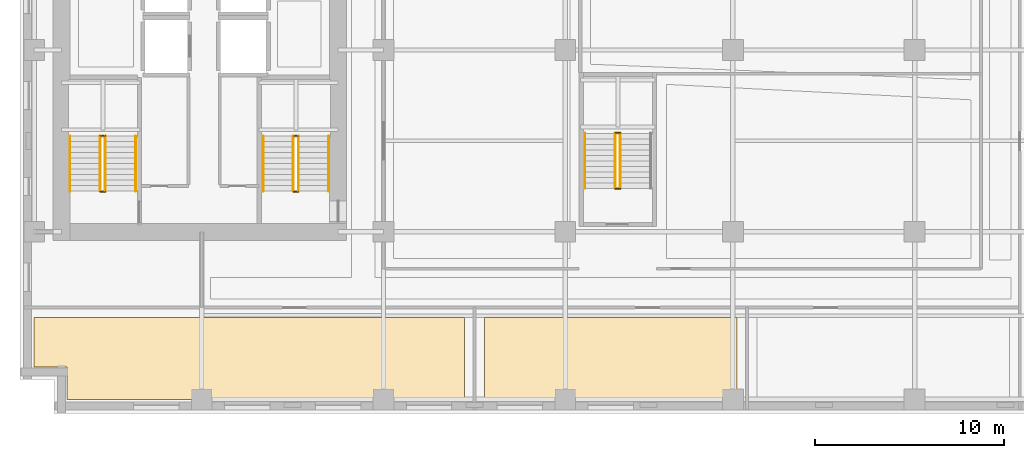
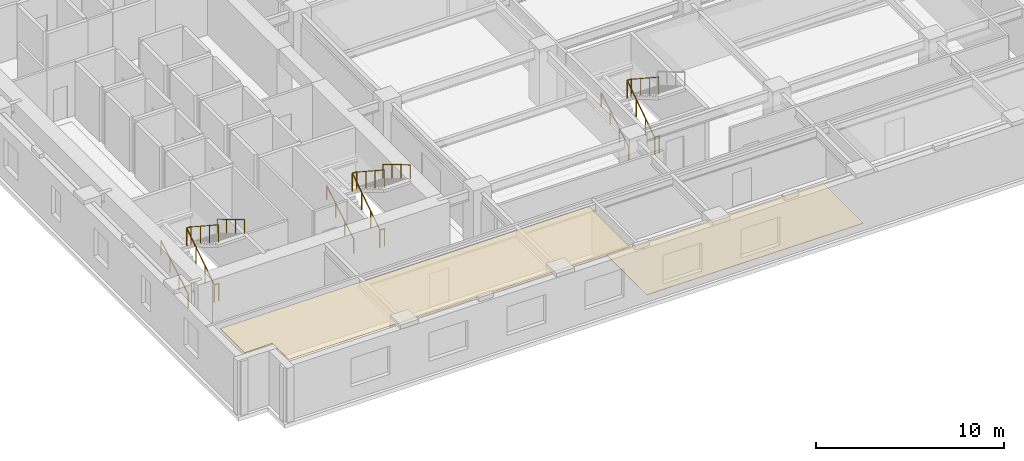
# One storey, part 9 of 13: 17 railings, 2 coverings.
"""IFC4 building model written with IfcOpenShell, lengths in metres."""

from ifc_helpers import new_model, si_unit, direction, frame, origin, origin_2d, place, context, subcontext, project, spatial, polyline, circle, outline, extrude, material, layer, layer_set, type_object, element, save


model = new_model("IFC4")

# Units and contexts
model_context = context("Model", 3, precision=1e-05, world=origin(), true_north=direction((0.0, 1.0)))
body_context = subcontext(model_context, "Body", "Model", "MODEL_VIEW")
ifc_project = project(units=[si_unit("LENGTHUNIT", "METRE"), si_unit("AREAUNIT", "SQUARE_METRE"), si_unit("VOLUMEUNIT", "CUBIC_METRE"), si_unit("PLANEANGLEUNIT", "RADIAN"), si_unit("MASSUNIT", "GRAM", prefix="KILO")], contexts=[model_context])

# Site, building, storey
site_placement = place(None, origin())
site = spatial("IfcSite", under=ifc_project, at=site_placement, CompositionType="ELEMENT")
building_placement = place(site_placement, origin())
building = spatial("IfcBuilding", under=site, at=building_placement, Name="Norrvale University Quadrangle", CompositionType="ELEMENT")
storey_placement = place(building_placement, frame((0.0, 0.0, 69.800048828125)))
storey = spatial("IfcBuildingStorey", under=building, at=storey_placement, Name="L17", CompositionType="ELEMENT", Elevation=69.800048828125)

# Coverings
ifc_material_1 = material(Name="Perforated Acoustic Mineral Ceiling")
ifc_layer_1 = layer(ifc_material_1, 0.02490234375, Name="Perforated Acoustic Mineral Ceiling")
ifc_layer_set_1 = layer_set([ifc_layer_1], Name="Perforated Acoustic Mineral Ceiling")
covering_type_1 = type_object("IfcCoveringType", Name="Covering Acoustic Ceiling 25", PredefinedType="CEILING", material=ifc_layer_set_1)
covering_1_placement = place(storey_placement, frame((0.0, 0.0, 3.514892578125)))
element("IfcCovering", 1, at=covering_1_placement, inside=storey, type_object=covering_type_1, Name="Acoustic Ceiling RM-L17-S01", PredefinedType="CEILING", context=body_context, shape_type="SweptSolid", body=[
    extrude(outline(polyline([(0.75, 5.070068359375), (23.469970703125, 5.070068359375), (23.469970703125, 0.75), (2.469970703125, 0.75), (2.469970703125, 2.469970703125), (0.75, 2.469970703125), (0.75, 5.070068359375)])), origin(), (0.0, 0.0, 1.0), 0.025146484375),
])
ifc_material_2 = material(Name="Polished Terrazzo Flooring")
ifc_layer_2 = layer(ifc_material_2, 0.02490234375, Name="Polished Terrazzo Flooring")
ifc_layer_set_2 = layer_set([ifc_layer_2], Name="Polished Terrazzo Flooring")
covering_type_2 = type_object("IfcCoveringType", Name="Covering Terrazzo Floor 30", PredefinedType="FLOORING", material=ifc_layer_set_2)
covering_2_placement = place(storey_placement, origin())
element("IfcCovering", 2, at=covering_2_placement, inside=storey, type_object=covering_type_2, Name="Terrazzo Flooring RM-L17-S02", PredefinedType="FLOORING", context=body_context, shape_type="SweptSolid", body=[
    extrude(outline(polyline([(24.530029296875, 5.070068359375), (37.8701171875, 5.070068359375), (37.8701171875, 0.75), (24.530029296875, 0.75), (24.530029296875, 5.070068359375)])), origin(), (0.0, 0.0, 1.0), 0.02490234375),
])

# Railings
ifc_material_3 = material(Name="Steel 350W Painted Balustrade", Category="steel")
railing_type_1 = type_object("IfcRailingType", Name="Railing Stair Guard 1100", PredefinedType="GUARDRAIL", material=ifc_material_3)
for number, where, name in (
    (3, (4.239990234375, 11.719970703125, 0.0), "Stair Floor Well Guard ST-01 L17"),
    (4, (4.239990234375, 14.679931640625, 1.89990234375), "Stair Mid-Landing Slot Guard ST-01 L17"),
):
    element("IfcRailing", number, at=place(storey_placement, frame(where)), inside=storey, type_object=railing_type_1, Name=name, PredefinedType="GUARDRAIL", context=body_context, shape_type="SweptSolid", body=[
        extrude(circle(Radius=0.02392578125, at=origin_2d()), frame((0.0, 0.0, 1.1259765625), z_axis=(1.0, 0.0, 0.0), x_axis=(0.0, 1.0, 0.0)), (0.0, 0.0, 1.0), 0.27001953125),
        extrude(circle(Radius=0.02099609375, at=origin_2d()), origin(), (0.0, 0.0, 1.0), 1.101806640625),
        extrude(circle(Radius=0.02099609375, at=origin_2d()), frame((0.27001953125, 0.0, 0.0)), (0.0, 0.0, 1.0), 1.101806640625),
    ])
railing_1_placement = place(storey_placement, frame((4.239990234375, 11.75, 0.0)))
element("IfcRailing", 5, at=railing_1_placement, inside=storey, type_object=railing_type_1, Name="Stair Lower Flight Inner Guard ST-01 L17", PredefinedType="GUARDRAIL", context=body_context, shape_type="SweptSolid", body=[
    extrude(circle(Radius=0.02392578125, at=origin_2d()), frame((0.0, 0.0, 1.1259765625), z_axis=(0.0, 0.836465582154, 0.548019461216), x_axis=(-1.0, 0.0, 0.0)), (0.0, 0.0, 1.0), 3.466796875),
    extrude(circle(Radius=0.02099609375, at=origin_2d()), origin(), (0.0, 0.0, 1.0), 1.101806640625),
    extrude(circle(Radius=0.02099609375, at=origin_2d()), frame((0.0, 0.966552734375, 0.63330078125)), (0.0, 0.0, 1.0), 1.101806640625),
    extrude(circle(Radius=0.02099609375, at=origin_2d()), frame((0.0, 1.933349609375, 1.2666015625)), (0.0, 0.0, 1.0), 1.101806640625),
    extrude(circle(Radius=0.02099609375, at=origin_2d()), frame((0.0, 2.89990234375, 1.89990234375)), (0.0, 0.0, 1.0), 1.101806640625),
])
railing_2_placement = place(storey_placement, frame((4.510009765625, 14.64990234375, 1.89990234375)))
element("IfcRailing", 6, at=railing_2_placement, inside=storey, type_object=railing_type_1, Name="Stair Upper Flight Inner Guard ST-01 L17", PredefinedType="GUARDRAIL", context=body_context, shape_type="SweptSolid", body=[
    extrude(circle(Radius=0.02392578125, at=origin_2d()), frame((0.0, 0.0, 1.1259765625), z_axis=(0.0, -0.836433300813, 0.548068730445), x_axis=(1.0, 0.0, 0.0)), (0.0, 0.0, 1.0), 3.467041015625),
    extrude(circle(Radius=0.02099609375, at=origin_2d()), origin(), (0.0, 0.0, 1.0), 1.101806640625),
    extrude(circle(Radius=0.02099609375, at=origin_2d()), frame((0.0, -0.966552734375, 0.63330078125)), (0.0, 0.0, 1.0), 1.101806640625),
    extrude(circle(Radius=0.02099609375, at=origin_2d()), frame((0.0, -1.933349609375, 1.266845703125)), (0.0, 0.0, 1.0), 1.101806640625),
    extrude(circle(Radius=0.02099609375, at=origin_2d()), frame((0.0, -2.89990234375, 1.900146484375)), (0.0, 0.0, 1.0), 1.101806640625),
])
for number, where, name in (
    (7, (14.43994140625, 11.719970703125, 0.0), "Stair Floor Well Guard ST-03 L17"),
    (8, (14.43994140625, 14.679931640625, 1.89990234375), "Stair Mid-Landing Slot Guard ST-03 L17"),
):
    element("IfcRailing", number, at=place(storey_placement, frame(where)), inside=storey, type_object=railing_type_1, Name=name, PredefinedType="GUARDRAIL", context=body_context, shape_type="SweptSolid", body=[
        extrude(circle(Radius=0.02392578125, at=origin_2d()), frame((0.0, 0.0, 1.1259765625), z_axis=(1.0, 0.0, 0.0), x_axis=(0.0, 1.0, 0.0)), (0.0, 0.0, 1.0), 0.27001953125),
        extrude(circle(Radius=0.02099609375, at=origin_2d()), origin(), (0.0, 0.0, 1.0), 1.101806640625),
        extrude(circle(Radius=0.02099609375, at=origin_2d()), frame((0.27001953125, 0.0, 0.0)), (0.0, 0.0, 1.0), 1.101806640625),
    ])
railing_3_placement = place(storey_placement, frame((14.43994140625, 11.75, 0.0)))
element("IfcRailing", 9, at=railing_3_placement, inside=storey, type_object=railing_type_1, Name="Stair Lower Flight Inner Guard ST-03 L17", PredefinedType="GUARDRAIL", context=body_context, shape_type="SweptSolid", body=[
    extrude(circle(Radius=0.02392578125, at=origin_2d()), frame((0.0, 0.0, 1.1259765625), z_axis=(0.0, 0.836465582154, 0.548019461216), x_axis=(-1.0, 0.0, 0.0)), (0.0, 0.0, 1.0), 3.466796875),
    extrude(circle(Radius=0.02099609375, at=origin_2d()), origin(), (0.0, 0.0, 1.0), 1.101806640625),
    extrude(circle(Radius=0.02099609375, at=origin_2d()), frame((0.0, 0.966552734375, 0.63330078125)), (0.0, 0.0, 1.0), 1.101806640625),
    extrude(circle(Radius=0.02099609375, at=origin_2d()), frame((0.0, 1.933349609375, 1.2666015625)), (0.0, 0.0, 1.0), 1.101806640625),
    extrude(circle(Radius=0.02099609375, at=origin_2d()), frame((0.0, 2.89990234375, 1.89990234375)), (0.0, 0.0, 1.0), 1.101806640625),
])
railing_4_placement = place(storey_placement, frame((14.7099609375, 14.64990234375, 1.89990234375)))
element("IfcRailing", 10, at=railing_4_placement, inside=storey, type_object=railing_type_1, Name="Stair Upper Flight Inner Guard ST-03 L17", PredefinedType="GUARDRAIL", context=body_context, shape_type="SweptSolid", body=[
    extrude(circle(Radius=0.02392578125, at=origin_2d()), frame((0.0, 0.0, 1.1259765625), z_axis=(0.0, -0.836433300813, 0.548068730445), x_axis=(1.0, 0.0, 0.0)), (0.0, 0.0, 1.0), 3.467041015625),
    extrude(circle(Radius=0.02099609375, at=origin_2d()), origin(), (0.0, 0.0, 1.0), 1.101806640625),
    extrude(circle(Radius=0.02099609375, at=origin_2d()), frame((0.0, -0.966552734375, 0.63330078125)), (0.0, 0.0, 1.0), 1.101806640625),
    extrude(circle(Radius=0.02099609375, at=origin_2d()), frame((0.0, -1.933349609375, 1.266845703125)), (0.0, 0.0, 1.0), 1.101806640625),
    extrude(circle(Radius=0.02099609375, at=origin_2d()), frame((0.0, -2.89990234375, 1.900146484375)), (0.0, 0.0, 1.0), 1.101806640625),
])
for number, where, name in (
    (11, (31.43994140625, 11.8701171875, 0.0), "Stair Floor Well Guard ST-04 L17"),
    (12, (31.43994140625, 14.830078125, 1.89990234375), "Stair Mid-Landing Slot Guard ST-04 L17"),
):
    element("IfcRailing", number, at=place(storey_placement, frame(where)), inside=storey, type_object=railing_type_1, Name=name, PredefinedType="GUARDRAIL", context=body_context, shape_type="SweptSolid", body=[
        extrude(circle(Radius=0.02392578125, at=origin_2d()), frame((0.0, 0.0, 1.1259765625), z_axis=(1.0, 0.0, 0.0), x_axis=(0.0, 1.0, 0.0)), (0.0, 0.0, 1.0), 0.27001953125),
        extrude(circle(Radius=0.02099609375, at=origin_2d()), origin(), (0.0, 0.0, 1.0), 1.101806640625),
        extrude(circle(Radius=0.02099609375, at=origin_2d()), frame((0.27001953125, 0.0, 0.0)), (0.0, 0.0, 1.0), 1.101806640625),
    ])
railing_5_placement = place(storey_placement, frame((31.43994140625, 11.89990234375, 0.0)))
element("IfcRailing", 13, at=railing_5_placement, inside=storey, type_object=railing_type_1, Name="Stair Lower Flight Inner Guard ST-04 L17", PredefinedType="GUARDRAIL", context=body_context, shape_type="SweptSolid", body=[
    extrude(circle(Radius=0.02392578125, at=origin_2d()), frame((0.0, 0.0, 1.1259765625), z_axis=(0.0, 0.836486729621, 0.547987181573), x_axis=(-1.0, 0.0, 0.0)), (0.0, 0.0, 1.0), 3.467041015625),
    extrude(circle(Radius=0.02099609375, at=origin_2d()), origin(), (0.0, 0.0, 1.0), 1.101806640625),
    extrude(circle(Radius=0.02099609375, at=origin_2d()), frame((0.0, 0.966796875, 0.63330078125)), (0.0, 0.0, 1.0), 1.101806640625),
    extrude(circle(Radius=0.02099609375, at=origin_2d()), frame((0.0, 1.933349609375, 1.2666015625)), (0.0, 0.0, 1.0), 1.101806640625),
    extrude(circle(Radius=0.02099609375, at=origin_2d()), frame((0.0, 2.900146484375, 1.89990234375)), (0.0, 0.0, 1.0), 1.101806640625),
])
railing_6_placement = place(storey_placement, frame((31.7099609375, 14.800048828125, 1.89990234375)))
element("IfcRailing", 14, at=railing_6_placement, inside=storey, type_object=railing_type_1, Name="Stair Upper Flight Inner Guard ST-04 L17", PredefinedType="GUARDRAIL", context=body_context, shape_type="SweptSolid", body=[
    extrude(circle(Radius=0.02392578125, at=origin_2d()), frame((0.0, 0.0, 1.1259765625), z_axis=(0.0, -0.836454451266, 0.548036450392), x_axis=(1.0, 0.0, 0.0)), (0.0, 0.0, 1.0), 3.46728515625),
    extrude(circle(Radius=0.02099609375, at=origin_2d()), origin(), (0.0, 0.0, 1.0), 1.101806640625),
    extrude(circle(Radius=0.02099609375, at=origin_2d()), frame((0.0, -0.966796875, 0.63330078125)), (0.0, 0.0, 1.0), 1.101806640625),
    extrude(circle(Radius=0.02099609375, at=origin_2d()), frame((0.0, -1.933349609375, 1.266845703125)), (0.0, 0.0, 1.0), 1.101806640625),
    extrude(circle(Radius=0.02099609375, at=origin_2d()), frame((0.0, -2.900146484375, 1.900146484375)), (0.0, 0.0, 1.0), 1.101806640625),
])
ifc_material_4 = material(Name="Stainless Steel 316L Handrail", Category="steel")
railing_type_2 = type_object("IfcRailingType", Name="Railing Stair Handrail 920", PredefinedType="HANDRAIL", material=ifc_material_4)
railing_7_placement = place(storey_placement, frame((2.639892578125, 11.75, 0.172607421875)))
element("IfcRailing", 15, at=railing_7_placement, inside=storey, type_object=railing_type_2, Name="Stair Lower Flight Handrail ST-01 L17", PredefinedType="HANDRAIL", context=body_context, shape_type="SweptSolid", body=[
    extrude(circle(Radius=0.02392578125, at=origin_2d()), frame((0.0, 0.0, 0.89599609375), z_axis=(0.0, 0.859141464434, 0.511738159696), x_axis=(-1.0, 0.0, 0.0)), (0.0, 0.0, 1.0), 3.375244140625),
    extrude(circle(Radius=0.02099609375, at=origin_2d()), origin(), (0.0, 0.0, 1.0), 0.871826171875),
    extrude(circle(Radius=0.02099609375, at=origin_2d()), frame((0.0, 0.966552734375, 0.57568359375)), (0.0, 0.0, 1.0), 0.871826171875),
    extrude(circle(Radius=0.02099609375, at=origin_2d()), frame((0.0, 1.933349609375, 1.151611328125)), (0.0, 0.0, 1.0), 0.871826171875),
    extrude(circle(Radius=0.02099609375, at=origin_2d()), frame((0.0, 2.89990234375, 1.727294921875)), (0.0, 0.0, 1.0), 0.871826171875),
])
railing_8_placement = place(storey_placement, frame((6.110107421875, 14.64990234375, 2.07275390625)))
element("IfcRailing", 16, at=railing_8_placement, inside=storey, type_object=railing_type_2, Name="Stair Upper Flight Handrail ST-01 L17", PredefinedType="HANDRAIL", context=body_context, shape_type="SweptSolid", body=[
    extrude(circle(Radius=0.02392578125, at=origin_2d()), frame((0.0, 0.0, 0.89599609375), z_axis=(0.0, -0.859141464434, 0.511738159696), x_axis=(1.0, 0.0, 0.0)), (0.0, 0.0, 1.0), 3.375244140625),
    extrude(circle(Radius=0.02099609375, at=origin_2d()), origin(), (0.0, 0.0, 1.0), 0.871826171875),
    extrude(circle(Radius=0.02099609375, at=origin_2d()), frame((0.0, -0.966552734375, 0.57568359375)), (0.0, 0.0, 1.0), 0.871826171875),
    extrude(circle(Radius=0.02099609375, at=origin_2d()), frame((0.0, -1.933349609375, 1.151611328125)), (0.0, 0.0, 1.0), 0.871826171875),
    extrude(circle(Radius=0.02099609375, at=origin_2d()), frame((0.0, -2.89990234375, 1.727294921875)), (0.0, 0.0, 1.0), 0.871826171875),
])
railing_9_placement = place(storey_placement, frame((12.840087890625, 11.75, 0.172607421875)))
element("IfcRailing", 17, at=railing_9_placement, inside=storey, type_object=railing_type_2, Name="Stair Lower Flight Handrail ST-03 L17", PredefinedType="HANDRAIL", context=body_context, shape_type="SweptSolid", body=[
    extrude(circle(Radius=0.02392578125, at=origin_2d()), frame((0.0, 0.0, 0.89599609375), z_axis=(0.0, 0.859141464434, 0.511738159696), x_axis=(-1.0, 0.0, 0.0)), (0.0, 0.0, 1.0), 3.375244140625),
    extrude(circle(Radius=0.02099609375, at=origin_2d()), origin(), (0.0, 0.0, 1.0), 0.871826171875),
    extrude(circle(Radius=0.02099609375, at=origin_2d()), frame((0.0, 0.966552734375, 0.57568359375)), (0.0, 0.0, 1.0), 0.871826171875),
    extrude(circle(Radius=0.02099609375, at=origin_2d()), frame((0.0, 1.933349609375, 1.151611328125)), (0.0, 0.0, 1.0), 0.871826171875),
    extrude(circle(Radius=0.02099609375, at=origin_2d()), frame((0.0, 2.89990234375, 1.727294921875)), (0.0, 0.0, 1.0), 0.871826171875),
])
railing_10_placement = place(storey_placement, frame((16.31005859375, 14.64990234375, 2.07275390625)))
element("IfcRailing", 18, at=railing_10_placement, inside=storey, type_object=railing_type_2, Name="Stair Upper Flight Handrail ST-03 L17", PredefinedType="HANDRAIL", context=body_context, shape_type="SweptSolid", body=[
    extrude(circle(Radius=0.02392578125, at=origin_2d()), frame((0.0, 0.0, 0.89599609375), z_axis=(0.0, -0.859141464434, 0.511738159696), x_axis=(1.0, 0.0, 0.0)), (0.0, 0.0, 1.0), 3.375244140625),
    extrude(circle(Radius=0.02099609375, at=origin_2d()), origin(), (0.0, 0.0, 1.0), 0.871826171875),
    extrude(circle(Radius=0.02099609375, at=origin_2d()), frame((0.0, -0.966552734375, 0.57568359375)), (0.0, 0.0, 1.0), 0.871826171875),
    extrude(circle(Radius=0.02099609375, at=origin_2d()), frame((0.0, -1.933349609375, 1.151611328125)), (0.0, 0.0, 1.0), 0.871826171875),
    extrude(circle(Radius=0.02099609375, at=origin_2d()), frame((0.0, -2.89990234375, 1.727294921875)), (0.0, 0.0, 1.0), 0.871826171875),
])
railing_11_placement = place(storey_placement, frame((29.840087890625, 11.89990234375, 0.172607421875)))
element("IfcRailing", 19, at=railing_11_placement, inside=storey, type_object=railing_type_2, Name="Stair Lower Flight Handrail ST-04 L17", PredefinedType="HANDRAIL", context=body_context, shape_type="SweptSolid", body=[
    extrude(circle(Radius=0.02392578125, at=origin_2d()), frame((0.0, 0.0, 0.89599609375), z_axis=(0.0, 0.859160404282, 0.51170636083), x_axis=(-1.0, 0.0, 0.0)), (0.0, 0.0, 1.0), 3.37548828125),
    extrude(circle(Radius=0.02099609375, at=origin_2d()), origin(), (0.0, 0.0, 1.0), 0.871826171875),
    extrude(circle(Radius=0.02099609375, at=origin_2d()), frame((0.0, 0.966796875, 0.57568359375)), (0.0, 0.0, 1.0), 0.871826171875),
    extrude(circle(Radius=0.02099609375, at=origin_2d()), frame((0.0, 1.933349609375, 1.151611328125)), (0.0, 0.0, 1.0), 0.871826171875),
    extrude(circle(Radius=0.02099609375, at=origin_2d()), frame((0.0, 2.900146484375, 1.727294921875)), (0.0, 0.0, 1.0), 0.871826171875),
])

save(model, "model.ifc")
